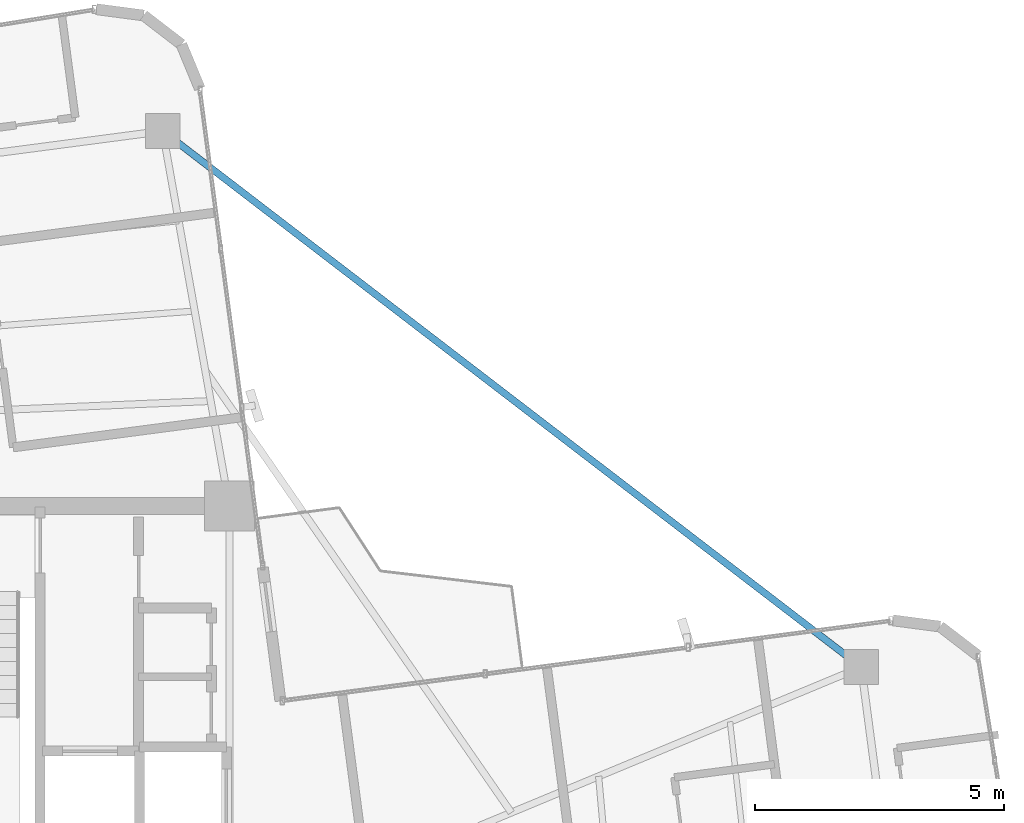
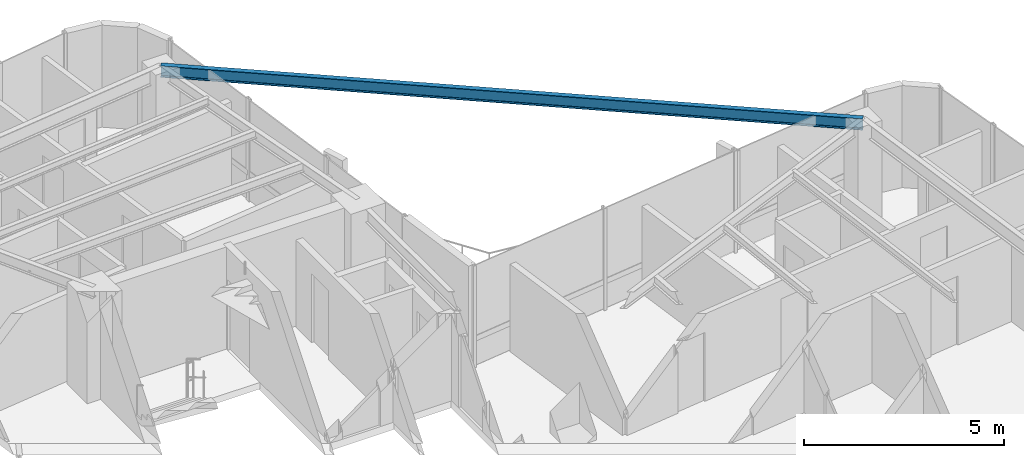
# One storey, part 15 of 23: 1 beam.
"""IFC4 building model written with IfcOpenShell, lengths in metres."""

from ifc_helpers import new_model, si_unit, direction, frame, origin, origin_2d, place, context, subcontext, project, spatial, i_section, extrude, source, transform, mapped, material, material_profile, profile_set, type_object, element, save


model = new_model("IFC4")

# Units and contexts
model_context = context("Model", 3, precision=1e-05, world=origin(), true_north=direction((0.0, 1.0)))
body_context = subcontext(model_context, "Body", "Model", "MODEL_VIEW")
ifc_project = project(units=[si_unit("LENGTHUNIT", "METRE"), si_unit("AREAUNIT", "SQUARE_METRE"), si_unit("VOLUMEUNIT", "CUBIC_METRE"), si_unit("PLANEANGLEUNIT", "RADIAN"), si_unit("MASSUNIT", "GRAM", prefix="KILO")], contexts=[model_context])

# Site, building, storey
site_placement = place(None, origin())
site = spatial("IfcSite", under=ifc_project, at=site_placement, CompositionType="ELEMENT")
building_placement = place(site_placement, origin())
building = spatial("IfcBuilding", under=site, at=building_placement, Name="Sahyath Konkavel Grand Hotel", CompositionType="ELEMENT")
storey_placement = place(building_placement, frame((0.0, 0.0, 254.550048828125)))
storey = spatial("IfcBuildingStorey", under=building, at=storey_placement, Name="L71", CompositionType="ELEMENT", Elevation=254.550048828125)

# Beam
ifc_material = material(Name="Steel E350", Category="steel")
ifc_material_profile = material_profile(ifc_material, i_section(OverallWidth=0.139892578125, OverallDepth=0.35009765625, WebThickness=0.008056640625, FlangeThickness=0.01416015625, FilletRadius=0.013916015625, at=origin_2d()), Name="ISMB 350")
ifc_profile_set = profile_set([ifc_material_profile], Name="Steel E350")
beam_type = type_object("IfcBeamType", Name="BM-ISMB350", PredefinedType="BEAM", material=ifc_profile_set)
shared_shape = source(origin(), body_context, "Body", "SweptSolid", [
    extrude(i_section(OverallWidth=0.139892578125, OverallDepth=0.35009765625, WebThickness=0.008056640625, FlangeThickness=0.01416015625, FilletRadius=0.013916015625, at=origin_2d()), origin(), (0.0, 0.0, 1.0), 17.676025390625),
])
beam_placement = place(storey_placement, frame((16.48486328125, 6.96533203125, 2.93505859375), z_axis=(-0.793355089258, 0.608759149705, 0.0), x_axis=(-0.608759149705, -0.793355089258, 0.0)))
element("IfcBeam", 1, at=beam_placement, inside=storey, type_object=beam_type, Name="L71 Re-Entrant Tie Beam NE", PredefinedType="BEAM", context=body_context, shape_type="MappedRepresentation", body=[
    mapped(shared_shape, transform((0.0, 0.0, 0.0), scale=1.0)),
])

save(model, "model.ifc")
